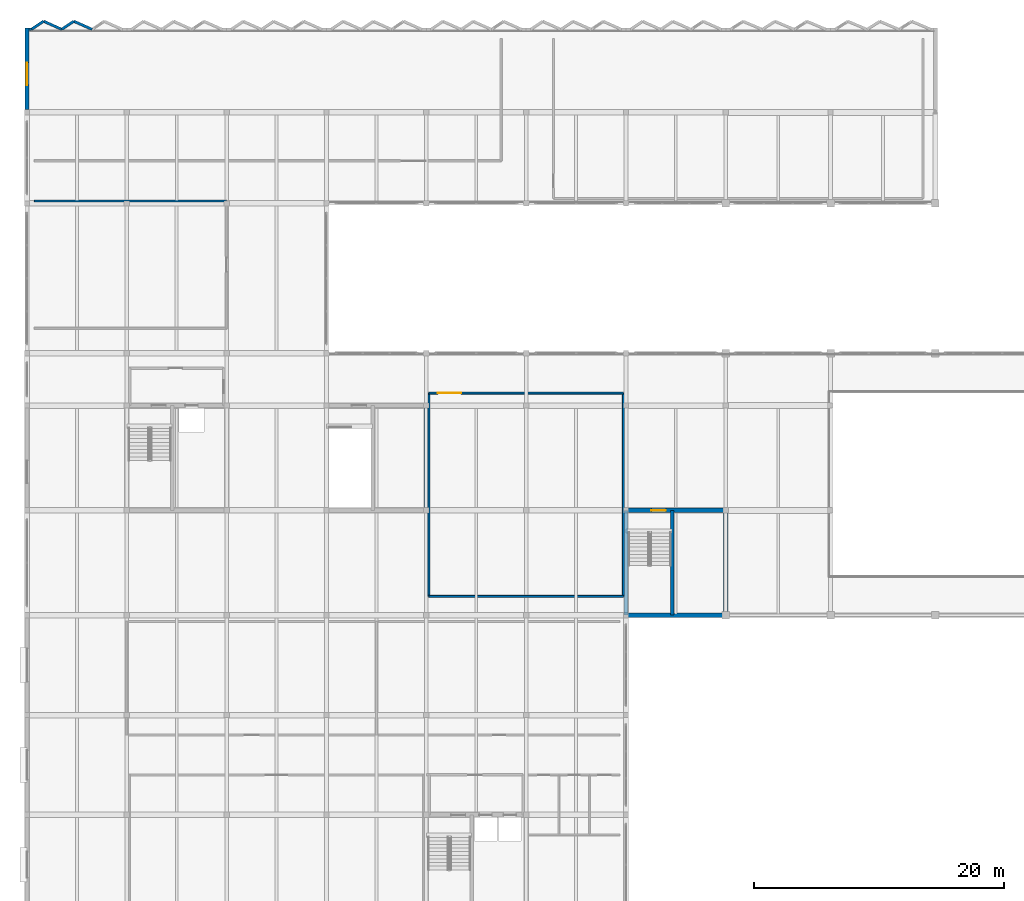
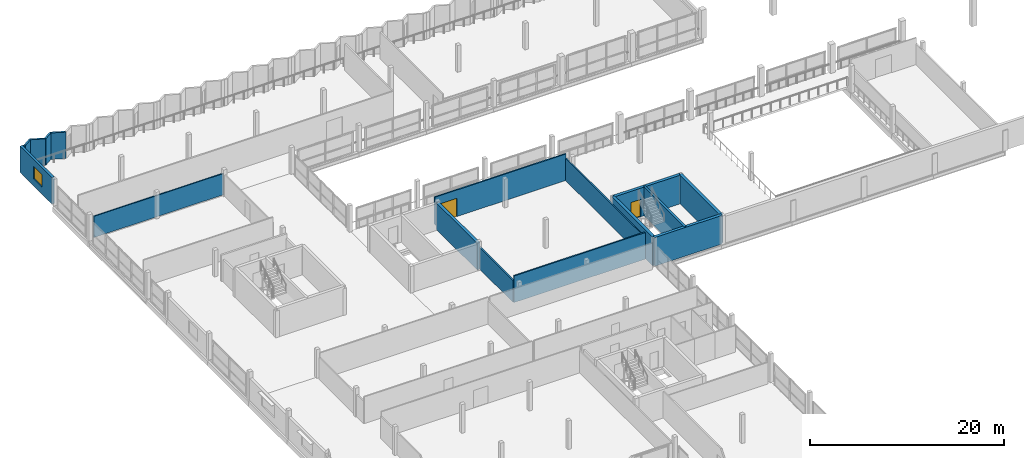
# One storey, part 37 of 51: 17 walls, 2 doors, 1 window, 3 openings.
"""IFC4 building model written with IfcOpenShell, lengths in metres."""

from ifc_helpers import new_model, si_unit, direction, frame, frame_2d, origin, place, context, subcontext, project, spatial, rectangle, extrude, material, layer, layer_set, type_object, element, fill, save


model = new_model("IFC4")

# Units and contexts
model_context = context("Model", 3, precision=1e-05, world=origin(), true_north=direction((0.0, 1.0)))
body_context = subcontext(model_context, "Body", "Model", "MODEL_VIEW")
ifc_project = project(units=[si_unit("LENGTHUNIT", "METRE"), si_unit("AREAUNIT", "SQUARE_METRE"), si_unit("VOLUMEUNIT", "CUBIC_METRE"), si_unit("PLANEANGLEUNIT", "RADIAN"), si_unit("MASSUNIT", "GRAM", prefix="KILO")], contexts=[model_context])

# Site, building, storey
site_placement = place(None, origin())
site = spatial("IfcSite", under=ifc_project, at=site_placement, CompositionType="ELEMENT")
building_placement = place(site_placement, origin())
building = spatial("IfcBuilding", under=site, at=building_placement, Name="Vharandega Faculty of Natural Sciences", CompositionType="ELEMENT")
storey_placement = place(building_placement, frame((0.0, 0.0, 14.39990234375)))
storey = spatial("IfcBuildingStorey", under=building, at=storey_placement, Name="L03", CompositionType="ELEMENT", Elevation=14.39990234375)

# Walls
ifc_material_1 = material(Name="Precast concrete C40/50", Category="concrete")
ifc_layer_1 = layer(ifc_material_1, 0.2099609375, Name="Precast concrete C40/50")
ifc_layer_set_1 = layer_set([ifc_layer_1], Name="Precast concrete C40/50")
wall_type_1 = type_object("IfcWallType", Name="Commons Sawtooth Street Wall 210", PredefinedType="SOLIDWALL", material=ifc_layer_set_1)
wall_1_placement = place(storey_placement, frame((0.14501953125, 110.949951171875, 0.0), z_axis=(0.0, 0.0, 1.0), x_axis=(1.0, 0.0, 0.0)))
element("IfcWall", 1, at=wall_1_placement, inside=storey, type_object=wall_type_1, Name="Exterior Wall EW-V2SHL-L03-1L", PredefinedType="SOLIDWALL", context=body_context, shape_type="SweptSolid", body=[
    extrude(rectangle(XDim=0.205078125, YDim=0.2099609375, at=frame_2d((0.1025390625, 0.0))), origin(), (0.0, 0.0, 1.0), 3.320068359375),
])
wall_2_placement = place(storey_placement, frame((0.360107421875, 110.949951171875, 0.0), z_axis=(0.0, 0.0, 1.0), x_axis=(0.830858868059, 0.556483190553, 0.0)))
element("IfcWall", 2, at=wall_2_placement, inside=storey, type_object=wall_type_1, Name="Exterior Wall EW-V2SAW-L03-01G", PredefinedType="SOLIDWALL", context=body_context, shape_type="SweptSolid", body=[
    extrude(rectangle(XDim=1.168212890625, YDim=0.2099609375, at=frame_2d((0.583984375, 0.0))), origin(), (0.0, 0.0, 1.0), 3.320068359375),
])
wall_3_placement = place(storey_placement, frame((1.330810546875, 111.60009765625, 0.0), z_axis=(0.0, 0.0, 1.0), x_axis=(0.913083928543, -0.407771675618, 0.0)))
element("IfcWall", 3, at=wall_3_placement, inside=storey, type_object=wall_type_1, Name="Exterior Wall EW-V2SAW-L03-01S", PredefinedType="SOLIDWALL", context=body_context, shape_type="SweptSolid", body=[
    extrude(rectangle(XDim=1.594482421875, YDim=0.2099609375, at=frame_2d((0.79736328125, 0.0))), origin(), (0.0, 0.0, 1.0), 3.320068359375),
])
wall_4_placement = place(storey_placement, frame((2.78662109375, 110.949951171875, 0.0), z_axis=(0.0, 0.0, 1.0), x_axis=(0.830858868059, 0.556483190553, 0.0)))
element("IfcWall", 4, at=wall_4_placement, inside=storey, type_object=wall_type_1, Name="Exterior Wall EW-V2SAW-L03-02G", PredefinedType="SOLIDWALL", context=body_context, shape_type="SweptSolid", body=[
    extrude(rectangle(XDim=1.168212890625, YDim=0.2099609375, at=frame_2d((0.583984375, 0.0))), origin(), (0.0, 0.0, 1.0), 3.320068359375),
])
wall_5_placement = place(storey_placement, frame((3.75732421875, 111.60009765625, 0.0), z_axis=(0.0, 0.0, 1.0), x_axis=(0.913109384471, -0.407714669826, 0.0)))
element("IfcWall", 5, at=wall_5_placement, inside=storey, type_object=wall_type_1, Name="Exterior Wall EW-V2SAW-L03-02S", PredefinedType="SOLIDWALL", context=body_context, shape_type="SweptSolid", body=[
    extrude(rectangle(XDim=1.5947265625, YDim=0.2099609375, at=frame_2d((0.79736328125, 0.0))), origin(), (0.0, 0.0, 1.0), 3.320068359375),
])
ifc_material_2 = material(Name="Concrete C40/50", Category="concrete")
ifc_layer_2 = layer(ifc_material_2, 0.35009765625, Name="Concrete C40/50")
ifc_layer_set_2 = layer_set([ifc_layer_2], Name="Concrete C40/50")
wall_type_2 = type_object("IfcWallType", Name="Core Shear Wall 350", PredefinedType="SHEAR", material=ifc_layer_set_2)
wall_6_placement = place(storey_placement, frame((48.0, 64.0, 0.0), z_axis=(0.0, 0.0, 1.0), x_axis=(1.0, 0.0, 0.0)))
element("IfcWall", 6, at=wall_6_placement, inside=storey, type_object=wall_type_2, Name="Interior Wall CW-C5-L03-S", PredefinedType="SHEAR", context=body_context, shape_type="SweptSolid", body=[
    extrude(rectangle(XDim=8.0, YDim=0.35009765625, at=frame_2d((4.0, 0.0))), origin(), (0.0, 0.0, 1.0), 3.60009765625),
])
for number, where, z_axis, x_axis, name in (
    (7, (48.0, 64.0, 0.0), (0.0, 0.0, 1.0), (0.0, 1.0, 0.0), "Interior Wall CW-C5-L03-W"),
    (8, (56.0, 64.0, 0.0), (0.0, 0.0, 1.0), (0.0, 1.0, 0.0), "Interior Wall CW-C5-L03-E"),
):
    element("IfcWall", number, at=place(storey_placement, frame(where, z_axis=z_axis, x_axis=x_axis)), inside=storey, type_object=wall_type_2, Name=name, PredefinedType="SHEAR", context=body_context, shape_type="SweptSolid", body=[
        extrude(rectangle(XDim=8.39990234375, YDim=0.35009765625, at=frame_2d((4.199951171875, 0.0))), origin(), (0.0, 0.0, 1.0), 3.60009765625),
    ])

# Wall, opening, door
wall_7_placement = place(storey_placement, frame((48.0, 72.39990234375, 0.0), z_axis=(0.0, 0.0, 1.0), x_axis=(1.0, 0.0, 0.0)))
wall_7 = element("IfcWall", 9, at=wall_7_placement, inside=storey, type_object=wall_type_2, Name="Interior Wall CW-C5-L03-N", PredefinedType="SHEAR", context=body_context, shape_type="SweptSolid", body=[
    extrude(rectangle(XDim=8.0, YDim=0.35009765625, at=frame_2d((4.0, 0.0))), origin(), (0.0, 0.0, 1.0), 3.60009765625),
])
opening_1_placement = place(wall_7_placement, frame((2.0400390625, 0.0, 0.0)))
opening_1 = element("IfcOpeningElement", 10, at=opening_1_placement, cuts=wall_7, Name="Opening FD1", PredefinedType="OPENING", context=body_context, shape_type="SweptSolid", body=[
    extrude(rectangle(XDim=1.14990234375, YDim=2.199951171875, at=frame_2d((0.574951171875, 1.10009765625))), frame((0.0, 0.18505859375, 0.0), z_axis=(0.0, -1.0, 0.0), x_axis=(1.0, 0.0, 0.0)), (0.0, 0.0, 1.0), 0.3701171875),
])
ifc_material_3 = material(Name="Solid-core hardwood timber fire door", Category="wood")
door_type_1 = type_object("IfcDoorType", Name="FD1-STAIR-1150x2200", OperationType="NOTDEFINED", PredefinedType="DOOR", material=ifc_material_3)
door_1_placement = place(opening_1_placement, origin())
door_1 = element("IfcDoor", 11, at=door_1_placement, inside=storey, type_object=door_type_1, Name="Stair ST5 Fire Door FD1", OperationType="SINGLE_SWING_LEFT", OverallHeight=2.199951171875, OverallWidth=1.14990234375, PredefinedType="DOOR", context=body_context, shape_type="SweptSolid", body=[
    extrude(rectangle(XDim=1.14990234375, YDim=2.199951171875, at=frame_2d((0.574951171875, 1.10009765625))), frame((0.0, 0.02490234375, 0.0), z_axis=(0.0, -1.0, 0.0), x_axis=(1.0, 0.0, 0.0)), (0.0, 0.0, 1.0), 0.050048828125),
])
fill(opening_1, door_1)

# Walls
wall_8_placement = place(storey_placement, frame((32.0, 72.39990234375, 0.0), z_axis=(0.0, 0.0, 1.0), x_axis=(0.0, 1.0, 0.0)))
element("IfcWall", 12, at=wall_8_placement, inside=storey, type_object=wall_type_2, Name="Interior Wall CW-C6-L03-E", PredefinedType="SHEAR", context=body_context, shape_type="SweptSolid", body=[
    extrude(rectangle(XDim=8.400146484375, YDim=0.35009765625, at=frame_2d((4.2001953125, 0.0))), origin(), (0.0, 0.0, 1.0), 3.340087890625),
])
ifc_material_4 = material(Name="Gypsum fire-board on steel stud", Category="steel")
ifc_layer_3 = layer(ifc_material_4, 0.159912109375, Name="Gypsum fire-board on steel stud")
ifc_layer_set_3 = layer_set([ifc_layer_3], Name="Gypsum fire-board on steel stud")
wall_type_3 = type_object("IfcWallType", Name="Laboratory Fire Corridor Wall 160", PredefinedType="PARTITIONING", material=ifc_layer_set_3)
wall_9_placement = place(storey_placement, frame((32.199951171875, 65.5, 0.0), z_axis=(0.0, 0.0, 1.0), x_axis=(1.0, 0.0, 0.0)))
element("IfcWall", 13, at=wall_9_placement, inside=storey, type_object=wall_type_3, Name="Interior Wall PW-L03-R13S", PredefinedType="PARTITIONING", context=body_context, shape_type="SweptSolid", body=[
    extrude(rectangle(XDim=15.60009765625, YDim=0.159912109375, at=frame_2d((7.800048828125, 0.0))), origin(), (0.0, 0.0, 1.0), 3.340087890625),
])

# Wall, opening, door
wall_10_placement = place(storey_placement, frame((32.199951171875, 81.800048828125, 0.0), z_axis=(0.0, 0.0, 1.0), x_axis=(1.0, 0.0, 0.0)))
wall_10 = element("IfcWall", 14, at=wall_10_placement, inside=storey, type_object=wall_type_3, Name="Interior Wall PW-L03-R13N", PredefinedType="PARTITIONING", context=body_context, shape_type="SweptSolid", body=[
    extrude(rectangle(XDim=15.60009765625, YDim=0.159912109375, at=frame_2d((7.800048828125, 0.0))), origin(), (0.0, 0.0, 1.0), 3.340087890625),
])
opening_2_placement = place(wall_10_placement, frame((0.699951171875, 0.0, 0.0)))
opening_2 = element("IfcOpeningElement", 15, at=opening_2_placement, cuts=wall_10, Name="Opening D0293", PredefinedType="OPENING", context=body_context, shape_type="SweptSolid", body=[
    extrude(rectangle(XDim=1.89990234375, YDim=2.300048828125, at=frame_2d((0.949951171875, 1.14990234375))), frame((0.0, 0.08984375, 0.0), z_axis=(0.0, -1.0, 0.0), x_axis=(1.0, 0.0, 0.0)), (0.0, 0.0, 1.0), 0.179931640625),
])
ifc_material_5 = material(Name="Solid-core hardwood timber fire door", Category="wood")
door_type_2 = type_object("IfcDoorType", Name="ID08-COMMONS-DBL-1900x2300", OperationType="DOUBLE_DOOR_SINGLE_SWING", PredefinedType="DOOR", material=ifc_material_5)
door_2_placement = place(opening_2_placement, origin())
door_2 = element("IfcDoor", 16, at=door_2_placement, inside=storey, type_object=door_type_2, Name="L03 Atrium West Study Gallery Door D0293", OperationType="DOUBLE_DOOR_SINGLE_SWING", OverallHeight=2.300048828125, OverallWidth=1.89990234375, PredefinedType="DOOR", context=body_context, shape_type="SweptSolid", body=[
    extrude(rectangle(XDim=1.89990234375, YDim=2.300048828125, at=frame_2d((0.949951171875, 1.14990234375))), frame((0.0, 0.02490234375, 0.0), z_axis=(0.0, -1.0, 0.0), x_axis=(1.0, 0.0, 0.0)), (0.0, 0.0, 1.0), 0.050048828125),
])
fill(opening_2, door_2)

# Walls
wall_11_placement = place(storey_placement, frame((32.199951171875, 65.5, 0.0), z_axis=(0.0, 0.0, 1.0), x_axis=(0.0, 1.0, 0.0)))
element("IfcWall", 17, at=wall_11_placement, inside=storey, type_object=wall_type_3, Name="Interior Wall PW-L03-R13W", PredefinedType="PARTITIONING", context=body_context, shape_type="SweptSolid", body=[
    extrude(rectangle(XDim=16.300048828125, YDim=0.159912109375, at=frame_2d((8.14990234375, 0.0))), origin(), (0.0, 0.0, 1.0), 2.739990234375),
])
wall_12_placement = place(storey_placement, frame((47.800048828125, 65.5, 0.0), z_axis=(0.0, 0.0, 1.0), x_axis=(0.0, 1.0, 0.0)))
element("IfcWall", 18, at=wall_12_placement, inside=storey, type_object=wall_type_3, Name="Interior Wall PW-L03-R13E", PredefinedType="PARTITIONING", context=body_context, shape_type="SweptSolid", body=[
    extrude(rectangle(XDim=16.300048828125, YDim=0.159912109375, at=frame_2d((8.14990234375, 0.0))), origin(), (0.0, 0.0, 1.0), 2.780029296875),
])
ifc_material_6 = material(Name="Concrete C40/50", Category="concrete")
ifc_layer_4 = layer(ifc_material_6, 0.260009765625, Name="Concrete C40/50")
ifc_layer_set_4 = layer_set([ifc_layer_4], Name="Concrete C40/50")
wall_type_4 = type_object("IfcWallType", Name="Lift Shaft Shear Wall 260", PredefinedType="SHEAR", material=ifc_layer_set_4)
wall_13_placement = place(storey_placement, frame((51.699951171875, 64.0, 0.0), z_axis=(0.0, 0.0, 1.0), x_axis=(0.0, 1.0, 0.0)))
element("IfcWall", 19, at=wall_13_placement, inside=storey, type_object=wall_type_4, Name="Interior Wall CW-C5-L03-DIV", PredefinedType="SHEAR", context=body_context, shape_type="SweptSolid", body=[
    extrude(rectangle(XDim=8.39990234375, YDim=0.260009765625, at=frame_2d((4.199951171875, 0.0))), origin(), (0.0, 0.0, 1.0), 3.60009765625),
])

# Wall, opening, window
ifc_material_7 = material(Name="Precast concrete C40/50", Category="concrete")
ifc_layer_5 = layer(ifc_material_7, 0.300048828125, Name="Precast concrete C40/50")
ifc_layer_set_5 = layer_set([ifc_layer_5], Name="Precast concrete C40/50")
wall_type_5 = type_object("IfcWallType", Name="Polychrome Precast Facade Wall 300", PredefinedType="SOLIDWALL", material=ifc_layer_set_5)
wall_14_placement = place(storey_placement, frame((0.0, 104.508056640625, 0.0), z_axis=(0.0, 0.0, 1.0), x_axis=(0.0, 1.0, 0.0)))
wall_14 = element("IfcWall", 20, at=wall_14_placement, inside=storey, type_object=wall_type_5, Name="Exterior Wall EW-V2W-L03-6", PredefinedType="SOLIDWALL", context=body_context, shape_type="SweptSolid", body=[
    extrude(rectangle(XDim=6.546875, YDim=0.300048828125, at=frame_2d((3.2734375, 0.0))), origin(), (0.0, 0.0, 1.0), 3.320068359375),
])
opening_3_placement = place(wall_14_placement, frame((1.971923828125, 0.0, 0.89990234375)))
opening_3 = element("IfcOpeningElement", 21, at=opening_3_placement, cuts=wall_14, Name="Opening WN-20", PredefinedType="OPENING", context=body_context, shape_type="SweptSolid", body=[
    extrude(rectangle(XDim=1.800048828125, YDim=1.550048828125, at=frame_2d((0.89990234375, 0.77490234375))), frame((0.0, 0.16015625, 0.0), z_axis=(0.0, -1.0, 0.0), x_axis=(1.0, 0.0, 0.0)), (0.0, 0.0, 1.0), 0.320068359375),
])
ifc_material_8 = material(Name="Double-glazed solar-control glass in thermally broken aluminium frame", Category="aluminium")
window_type = type_object("IfcWindowType", Name="WIN-SEM-180x155", PartitioningType="DOUBLE_PANEL_VERTICAL", PredefinedType="WINDOW", material=ifc_material_8)
window_placement = place(opening_3_placement, origin())
window = element("IfcWindow", 22, at=window_placement, inside=storey, type_object=window_type, Name="Window WIN-L03-0197", OverallHeight=1.550048828125, OverallWidth=1.800048828125, PartitioningType="SINGLE_PANEL", PredefinedType="WINDOW", context=body_context, shape_type="SweptSolid", body=[
    extrude(rectangle(XDim=1.800048828125, YDim=1.550048828125, at=frame_2d((0.89990234375, 0.77490234375))), frame((0.0, 0.030029296875, 0.0), z_axis=(0.0, -1.0, 0.0), x_axis=(1.0, 0.0, 0.0)), (0.0, 0.0, 1.0), 0.06005859375),
])
fill(opening_3, window)

# Wall
ifc_material_9 = material(Name="Gypsum acoustic partition", Category="gypsum")
ifc_layer_6 = layer(ifc_material_9, 0.139892578125, Name="Gypsum acoustic partition")
ifc_layer_set_6 = layer_set([ifc_layer_6], Name="Gypsum acoustic partition")
wall_type_6 = type_object("IfcWallType", Name="Room Partition Wall 140", PredefinedType="PARTITIONING", material=ifc_layer_set_6)
wall_15_placement = place(storey_placement, frame((0.60009765625, 97.199951171875, 0.0), z_axis=(0.0, 0.0, 1.0), x_axis=(1.0, 0.0, 0.0)))
element("IfcWall", 23, at=wall_15_placement, inside=storey, type_object=wall_type_6, Name="Interior Wall PW-L03-R12N", PredefinedType="PARTITIONING", context=body_context, shape_type="SweptSolid", body=[
    extrude(rectangle(XDim=15.39990234375, YDim=0.139892578125, at=frame_2d((7.699951171875, 0.0))), origin(), (0.0, 0.0, 1.0), 2.66015625),
])

save(model, "model.ifc")
